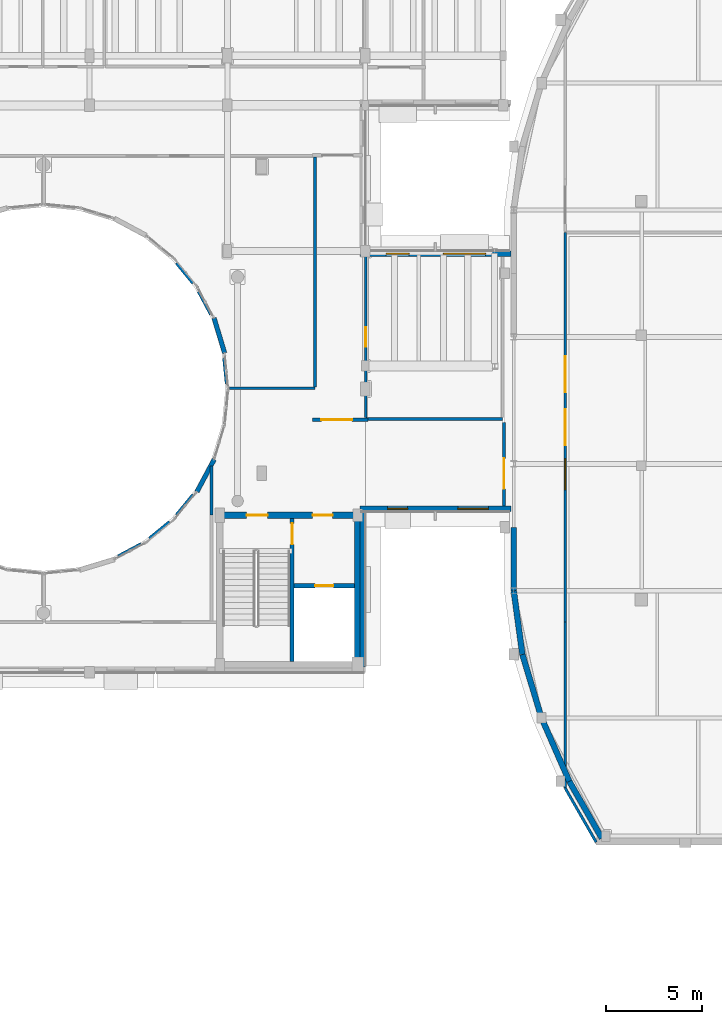
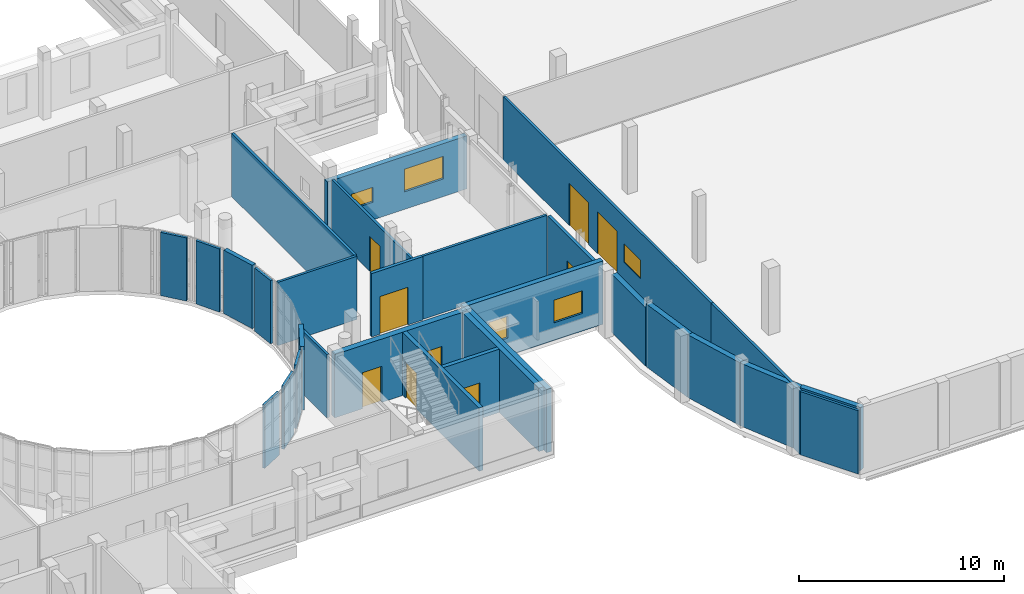
# One storey, part 80 of 105: 30 walls, 9 doors, 5 windows, 14 openings.
"""IFC4 building model written with IfcOpenShell, lengths in metres."""

from ifc_helpers import new_model, si_unit, direction, frame, frame_2d, origin, place, context, subcontext, project, spatial, rectangle, extrude, material, layer, layer_set, type_object, element, fill, save


model = new_model("IFC4")

# Units and contexts
model_context = context("Model", 3, precision=1e-05, world=origin(), true_north=direction((0.0, 1.0)))
body_context = subcontext(model_context, "Body", "Model", "MODEL_VIEW")
ifc_project = project(units=[si_unit("LENGTHUNIT", "METRE"), si_unit("AREAUNIT", "SQUARE_METRE"), si_unit("VOLUMEUNIT", "CUBIC_METRE"), si_unit("PLANEANGLEUNIT", "RADIAN"), si_unit("MASSUNIT", "GRAM", prefix="KILO")], contexts=[model_context])

# Site, building, storey
site_placement = place(None, origin())
site = spatial("IfcSite", under=ifc_project, at=site_placement, CompositionType="ELEMENT")
building_placement = place(site_placement, origin())
building = spatial("IfcBuilding", under=site, at=building_placement, Name="Kelanivale Promenade Academy", CompositionType="ELEMENT")
storey_placement = place(building_placement, frame((0.0, 0.0, 4.199951171875)))
storey = spatial("IfcBuildingStorey", under=building, at=storey_placement, Name="L01", CompositionType="ELEMENT", Elevation=4.199951171875)

# Wall, openings, doors
ifc_material_1 = material(Name="Concrete C40/50", Category="concrete")
ifc_layer_1 = layer(ifc_material_1, 0.330078125)
ifc_layer_set_1 = layer_set([ifc_layer_1], Name="Concrete C40/50")
wall_type_1 = type_object("IfcWallType", Name="CW-S1 Wall 330mm", PredefinedType="SHEAR", material=ifc_layer_set_1)
wall_1_placement = place(storey_placement, frame((107.8349609375, 50.199951171875, 0.0), z_axis=(0.0, 0.0, 1.0), x_axis=(1.0, 0.0, 0.0)))
wall_1 = element("IfcWall", 1, at=wall_1_placement, inside=storey, type_object=wall_type_1, Name="CORE-3 RC shear wall N L01", PredefinedType="SHEAR", context=body_context, shape_type="SweptSolid", body=[
    extrude(rectangle(XDim=7.530029296875, YDim=0.330078125, at=frame_2d((3.76513671875, 0.0))), origin(), (0.0, 0.0, 1.0), 3.780029296875),
])
opening_1_placement = place(wall_1_placement, frame((5.014892578125, 0.0, 0.0)))
opening_1 = element("IfcOpeningElement", 2, at=opening_1_placement, cuts=wall_1, Name="Opening FD-CORE-3-LB-L01", PredefinedType="OPENING", context=body_context, shape_type="SweptSolid", body=[
    extrude(rectangle(XDim=1.050048828125, YDim=2.14990234375, at=frame_2d((0.52490234375, 1.074951171875))), frame((0.0, 0.175048828125, 0.0), z_axis=(0.0, -1.0, 0.0), x_axis=(1.0, 0.0, 0.0)), (0.0, 0.0, 1.0), 0.35009765625),
])
opening_2_placement = place(wall_1_placement, frame((1.56494140625, 0.0, 0.0)))
opening_2 = element("IfcOpeningElement", 3, at=opening_2_placement, cuts=wall_1, Name="Opening FD-CORE-3-ST-L01", PredefinedType="OPENING", context=body_context, shape_type="SweptSolid", body=[
    extrude(rectangle(XDim=1.10009765625, YDim=2.14990234375, at=frame_2d((0.550048828125, 1.074951171875))), frame((0.0, 0.175048828125, 0.0), z_axis=(0.0, -1.0, 0.0), x_axis=(1.0, 0.0, 0.0)), (0.0, 0.0, 1.0), 0.35009765625),
])
ifc_material_2 = material(Name="Fire-rated steel-core teak veneer", Category="steel")
door_type_1 = type_object("IfcDoorType", Name="DT-F01 Door 1100x2150", OperationType="NOTDEFINED", PredefinedType="DOOR", material=ifc_material_2)
door_1_placement = place(opening_2_placement, origin())
door_1 = element("IfcDoor", 4, at=door_1_placement, inside=storey, type_object=door_type_1, Name="CORE-3 protected stair fire door L01", OperationType="SINGLE_SWING_RIGHT", OverallHeight=2.14990234375, OverallWidth=1.10009765625, PredefinedType="DOOR", context=body_context, shape_type="SweptSolid", body=[
    extrude(rectangle(XDim=1.10009765625, YDim=2.14990234375, at=frame_2d((0.550048828125, 1.074951171875))), frame((0.0, 0.02490234375, 0.0), z_axis=(0.0, -1.0, 0.0), x_axis=(1.0, 0.0, 0.0)), (0.0, 0.0, 1.0), 0.050048828125),
])
fill(opening_2, door_1)
door_type_2 = type_object("IfcDoorType", Name="DT-F03 Door 1050x2150", OperationType="NOTDEFINED", PredefinedType="DOOR", material=ifc_material_2)
door_2_placement = place(opening_1_placement, origin())
door_2 = element("IfcDoor", 5, at=door_2_placement, inside=storey, type_object=door_type_2, Name="CORE-3 corridor-to-lobby fire door L01", OperationType="SINGLE_SWING_LEFT", OverallHeight=2.14990234375, OverallWidth=1.050048828125, PredefinedType="DOOR", context=body_context, shape_type="SweptSolid", body=[
    extrude(rectangle(XDim=1.050048828125, YDim=2.14990234375, at=frame_2d((0.52490234375, 1.074951171875))), frame((0.0, 0.02490234375, 0.0), z_axis=(0.0, -1.0, 0.0), x_axis=(1.0, 0.0, 0.0)), (0.0, 0.0, 1.0), 0.050048828125),
])
fill(opening_1, door_2)

# Wall
wall_2_placement = place(storey_placement, frame((115.199951171875, 42.56494140625, 0.0), z_axis=(0.0, 0.0, 1.0), x_axis=(0.0, 1.0, 0.0)))
element("IfcWall", 6, at=wall_2_placement, inside=storey, type_object=wall_type_1, Name="CORE-3 RC shear wall E L01", PredefinedType="SHEAR", context=body_context, shape_type="SweptSolid", body=[
    extrude(rectangle(XDim=7.469970703125, YDim=0.330078125, at=frame_2d((3.73486328125, 0.0))), origin(), (0.0, 0.0, 1.0), 3.780029296875),
])

# Wall, opening, door
ifc_layer_2 = layer(ifc_material_1, 0.22509765625)
ifc_layer_set_2 = layer_set([ifc_layer_2], Name="Concrete C40/50")
wall_type_2 = type_object("IfcWallType", Name="CW-S2 Wall 225mm", PredefinedType="SHEAR", material=ifc_layer_set_2)
wall_3_placement = place(storey_placement, frame((111.885009765625, 46.530029296875, 0.0), z_axis=(0.0, 0.0, 1.0), x_axis=(1.0, 0.0, 0.0)))
wall_3 = element("IfcWall", 7, at=wall_3_placement, inside=storey, type_object=wall_type_2, Name="CORE-3 lift shaft front RC wall L01", PredefinedType="SHEAR", context=body_context, shape_type="SweptSolid", body=[
    extrude(rectangle(XDim=3.14990234375, YDim=0.22509765625, at=frame_2d((1.574951171875, 0.0))), origin(), (0.0, 0.0, 1.0), 3.780029296875),
])
opening_3_placement = place(wall_3_placement, frame((1.10009765625, 0.0, 0.0)))
opening_3 = element("IfcOpeningElement", 8, at=opening_3_placement, cuts=wall_3, Name="Opening LD-LF-FF3-L01", PredefinedType="OPENING", context=body_context, shape_type="SweptSolid", body=[
    extrude(rectangle(XDim=0.949951171875, YDim=2.14990234375, at=frame_2d((0.47509765625, 1.074951171875))), frame((0.0, 0.12255859375, 0.0), z_axis=(0.0, -1.0, 0.0), x_axis=(1.0, 0.0, 0.0)), (0.0, 0.0, 1.0), 0.2451171875),
])
door_type_3 = type_object("IfcDoorType", Name="LD-FF1 Door 950x2150", OperationType="NOTDEFINED", PredefinedType="DOOR", material=ifc_material_2)
door_3_placement = place(opening_3_placement, origin())
door_3 = element("IfcDoor", 9, at=door_3_placement, inside=storey, type_object=door_type_3, Name="Firefighting lift landing door LD-LF-FF3-L01", OperationType="SLIDING_TO_LEFT", OverallHeight=2.14990234375, OverallWidth=0.949951171875, PredefinedType="DOOR", context=body_context, shape_type="SweptSolid", body=[
    extrude(rectangle(XDim=0.949951171875, YDim=2.14990234375, at=frame_2d((0.47509765625, 1.074951171875))), frame((0.0, 0.02490234375, 0.0), z_axis=(0.0, -1.0, 0.0), x_axis=(1.0, 0.0, 0.0)), (0.0, 0.0, 1.0), 0.050048828125),
])
fill(opening_3, door_3)

ifc_layer_3 = layer(ifc_material_1, 0.219970703125)
ifc_layer_set_3 = layer_set([ifc_layer_3], Name="Concrete C40/50")
wall_type_3 = type_object("IfcWallType", Name="CW-S3 Wall 220mm", PredefinedType="SHEAR", material=ifc_layer_set_3)
wall_4_placement = place(storey_placement, frame((111.77490234375, 42.56494140625, 0.0), z_axis=(0.0, 0.0, 1.0), x_axis=(0.0, 1.0, 0.0)))
wall_4 = element("IfcWall", 10, at=wall_4_placement, inside=storey, type_object=wall_type_3, Name="CORE-3 stair-lobby dividing RC wall L01", PredefinedType="SHEAR", context=body_context, shape_type="SweptSolid", body=[
    extrude(rectangle(XDim=7.469970703125, YDim=0.219970703125, at=frame_2d((3.73486328125, 0.0))), origin(), (0.0, 0.0, 1.0), 3.780029296875),
])
opening_4_placement = place(wall_4_placement, frame((6.1201171875, 0.0, 0.0)))
opening_4 = element("IfcOpeningElement", 11, at=opening_4_placement, cuts=wall_4, Name="Opening FD-CORE-3-SL-L01", PredefinedType="OPENING", context=body_context, shape_type="SweptSolid", body=[
    extrude(rectangle(XDim=1.10009765625, YDim=2.14990234375, at=frame_2d((0.550048828125, 1.074951171875))), frame((0.0, 0.1201171875, 0.0), z_axis=(0.0, -1.0, 0.0), x_axis=(1.0, 0.0, 0.0)), (0.0, 0.0, 1.0), 0.239990234375),
])
door_4_placement = place(opening_4_placement, origin())
door_4 = element("IfcDoor", 12, at=door_4_placement, inside=storey, type_object=door_type_1, Name="CORE-3 lobby-to-stair fire door L01", OperationType="SINGLE_SWING_RIGHT", OverallHeight=2.14990234375, OverallWidth=1.10009765625, PredefinedType="DOOR", context=body_context, shape_type="SweptSolid", body=[
    extrude(rectangle(XDim=1.10009765625, YDim=2.14990234375, at=frame_2d((0.550048828125, 1.074951171875))), frame((0.0, 0.02490234375, 0.0), z_axis=(0.0, -1.0, 0.0), x_axis=(1.0, 0.0, 0.0)), (0.0, 0.0, 1.0), 0.050048828125),
])
fill(opening_4, door_4)

# Walls
ifc_material_3 = material(Name="Insulated terracotta-clad masonry wall 300 mm", Category="masonry")
ifc_layer_4 = layer(ifc_material_3, 0.300048828125)
ifc_layer_set_4 = layer_set([ifc_layer_4], Name="Insulated terracotta-clad masonry wall 300 mm")
wall_type_4 = type_object("IfcWallType", Name="EW-01 Wall 300mm", PredefinedType="SOLIDWALL", material=ifc_layer_set_4)
wall_5_placement = place(storey_placement, frame((126.25, 36.31396484375, 0.0), z_axis=(0.0, 0.0, 1.0), x_axis=(0.497345429475, -0.867552605771, 0.0)))
element("IfcWall", 13, at=wall_5_placement, inside=storey, type_object=wall_type_4, Name="Assembly Hall Arc Pavilion inner crescent wall L01", PredefinedType="SOLIDWALL", context=body_context, shape_type="SweptSolid", body=[
    extrude(rectangle(XDim=3.419921875, YDim=0.300048828125, at=frame_2d((1.7099609375, 0.0))), origin(), (0.0, 0.0, 1.0), 3.780029296875),
])
wall_6_placement = place(storey_placement, frame((124.800048828125, 39.62890625, 0.0), z_axis=(0.0, 0.0, 1.0), x_axis=(0.400740958437, -0.916191401526, 0.0)))
element("IfcWall", 14, at=wall_6_placement, inside=storey, type_object=wall_type_4, Name="Assembly Hall Arc Pavilion inner crescent wall L01", PredefinedType="SOLIDWALL", context=body_context, shape_type="SweptSolid", body=[
    extrude(rectangle(XDim=3.6181640625, YDim=0.300048828125, at=frame_2d((1.80908203125, 0.0))), origin(), (0.0, 0.0, 1.0), 3.7451171875),
])
wall_7_placement = place(storey_placement, frame((123.800048828125, 42.943115234375, 0.0), z_axis=(0.0, 0.0, 1.0), x_axis=(0.288868004026, -0.957368934241, 0.0)))
element("IfcWall", 15, at=wall_7_placement, inside=storey, type_object=wall_type_4, Name="Assembly Hall Arc Pavilion inner crescent wall L01", PredefinedType="SOLIDWALL", context=body_context, shape_type="SweptSolid", body=[
    extrude(rectangle(XDim=3.461669921875, YDim=0.300048828125, at=frame_2d((1.73095703125, 0.0))), origin(), (0.0, 0.0, 1.0), 3.7451171875),
])
wall_8_placement = place(storey_placement, frame((123.35009765625, 46.257080078125, 0.0), z_axis=(0.0, 0.0, 1.0), x_axis=(0.134539839792, -0.990908185206, 0.0)))
element("IfcWall", 16, at=wall_8_placement, inside=storey, type_object=wall_type_4, Name="Assembly Hall Arc Pavilion inner crescent wall L01", PredefinedType="SOLIDWALL", context=body_context, shape_type="SweptSolid", body=[
    extrude(rectangle(XDim=3.344482421875, YDim=0.300048828125, at=frame_2d((1.67236328125, 0.0))), origin(), (0.0, 0.0, 1.0), 3.7451171875),
])
wall_9_placement = place(storey_placement, frame((123.35009765625, 49.571044921875, 0.0), z_axis=(0.0, 0.0, 1.0), x_axis=(0.0, -1.0, 0.0)))
element("IfcWall", 17, at=wall_9_placement, inside=storey, type_object=wall_type_4, Name="Assembly Hall Arc Pavilion inner crescent wall L01", PredefinedType="SOLIDWALL", context=body_context, shape_type="SweptSolid", body=[
    extrude(rectangle(XDim=3.31396484375, YDim=0.300048828125, at=frame_2d((1.656982421875, 0.0))), origin(), (0.0, 0.0, 1.0), 3.47998046875),
])
ifc_material_4 = material(Name="Insulated ivory stucco masonry wall 280 mm", Category="masonry")
ifc_layer_5 = layer(ifc_material_4, 0.280029296875)
ifc_layer_set_5 = layer_set([ifc_layer_5], Name="Insulated ivory stucco masonry wall 280 mm")
wall_type_5 = type_object("IfcWallType", Name="EW-02 Wall 280mm", PredefinedType="SOLIDWALL", material=ifc_layer_set_5)
wall_10_placement = place(storey_placement, frame((115.4599609375, 42.280029296875, 0.0), z_axis=(0.0, 0.0, 1.0), x_axis=(0.0, 1.0, 0.0)))
element("IfcWall", 18, at=wall_10_placement, inside=storey, type_object=wall_type_5, Name="L01 exterior facade wall EW-L01-ORT-0364", PredefinedType="SOLIDWALL", context=body_context, shape_type="SweptSolid", body=[
    extrude(rectangle(XDim=8.119873046875, YDim=0.280029296875, at=frame_2d((4.06005859375, 0.0))), origin(), (0.0, 0.0, 1.0), 3.780029296875),
])

# Wall, openings, windows
wall_11_placement = place(storey_placement, frame((115.320068359375, 50.5400390625, 0.0), z_axis=(0.0, 0.0, 1.0), x_axis=(1.0, 0.0, 0.0)))
wall_11 = element("IfcWall", 19, at=wall_11_placement, inside=storey, type_object=wall_type_5, Name="L01 exterior facade wall EW-L01-ORT-0365", PredefinedType="SOLIDWALL", context=body_context, shape_type="SweptSolid", body=[
    extrude(rectangle(XDim=7.8798828125, YDim=0.280029296875, at=frame_2d((3.93994140625, 0.0))), origin(), (0.0, 0.0, 1.0), 3.780029296875),
])
opening_5_placement = place(wall_11_placement, frame((1.445068359375, 0.0, 1.050048828125)))
opening_5 = element("IfcOpeningElement", 20, at=opening_5_placement, cuts=wall_11, Name="Opening WT-30", PredefinedType="OPENING", context=body_context, shape_type="SweptSolid", body=[
    extrude(rectangle(XDim=1.050048828125, YDim=1.300048828125, at=frame_2d((0.52490234375, 0.64990234375))), frame((0.0, 0.14990234375, 0.0), z_axis=(0.0, -1.0, 0.0), x_axis=(1.0, 0.0, 0.0)), (0.0, 0.0, 1.0), 0.300048828125),
])
opening_6_placement = place(wall_11_placement, frame((5.110107421875, 0.0, 1.050048828125)))
opening_6 = element("IfcOpeningElement", 21, at=opening_6_placement, cuts=wall_11, Name="Opening WT-07", PredefinedType="OPENING", context=body_context, shape_type="SweptSolid", body=[
    extrude(rectangle(XDim=1.60009765625, YDim=1.35009765625, at=frame_2d((0.800048828125, 0.675048828125))), frame((0.0, 0.14990234375, 0.0), z_axis=(0.0, -1.0, 0.0), x_axis=(1.0, 0.0, 0.0)), (0.0, 0.0, 1.0), 0.300048828125),
])
ifc_material_5 = material(Name="Bronze anodised aluminium frame with low-E laminated glass", Category="aluminium")
window_type_1 = type_object("IfcWindowType", Name="WT-07 Window 1600x1350", PartitioningType="SINGLE_PANEL", PredefinedType="WINDOW", material=ifc_material_5)
window_1_placement = place(opening_6_placement, origin())
window_1 = element("IfcWindow", 22, at=window_1_placement, inside=storey, type_object=window_type_1, Name="Window WT-07", OverallHeight=1.35009765625, OverallWidth=1.60009765625, PartitioningType="SINGLE_PANEL", PredefinedType="WINDOW", context=body_context, shape_type="SweptSolid", body=[
    extrude(rectangle(XDim=1.60009765625, YDim=1.35009765625, at=frame_2d((0.800048828125, 0.675048828125))), frame((0.0, 0.030029296875, 0.0), z_axis=(0.0, -1.0, 0.0), x_axis=(1.0, 0.0, 0.0)), (0.0, 0.0, 1.0), 0.06005859375),
])
fill(opening_6, window_1)
window_type_2 = type_object("IfcWindowType", Name="WT-30 Window 1050x1300", PartitioningType="SINGLE_PANEL", PredefinedType="WINDOW", material=ifc_material_5)
window_2_placement = place(opening_5_placement, origin())
window_2 = element("IfcWindow", 23, at=window_2_placement, inside=storey, type_object=window_type_2, Name="Window WT-30", OverallHeight=1.300048828125, OverallWidth=1.050048828125, PartitioningType="SINGLE_PANEL", PredefinedType="WINDOW", context=body_context, shape_type="SweptSolid", body=[
    extrude(rectangle(XDim=1.050048828125, YDim=1.300048828125, at=frame_2d((0.52490234375, 0.64990234375))), frame((0.0, 0.030029296875, 0.0), z_axis=(0.0, -1.0, 0.0), x_axis=(1.0, 0.0, 0.0)), (0.0, 0.0, 1.0), 0.06005859375),
])
fill(opening_5, window_2)

wall_12_placement = place(storey_placement, frame((123.199951171875, 63.860107421875, 0.0), z_axis=(0.0, 0.0, 1.0), x_axis=(-1.0, 0.0, 0.0)))
wall_12 = element("IfcWall", 24, at=wall_12_placement, inside=storey, type_object=wall_type_5, Name="L01 exterior facade wall EW-L01-ORT-0366", PredefinedType="SOLIDWALL", context=body_context, shape_type="SweptSolid", body=[
    extrude(rectangle(XDim=7.8798828125, YDim=0.280029296875, at=frame_2d((3.93994140625, 0.0))), origin(), (0.0, 0.0, 1.0), 3.16015625),
])
opening_7_placement = place(wall_12_placement, frame((1.320068359375, 0.0, 1.050048828125)))
opening_7 = element("IfcOpeningElement", 25, at=opening_7_placement, cuts=wall_12, Name="Opening WT-08", PredefinedType="OPENING", context=body_context, shape_type="SweptSolid", body=[
    extrude(rectangle(XDim=2.199951171875, YDim=1.35009765625, at=frame_2d((1.10009765625, 0.675048828125))), frame((0.0, 0.14990234375, 0.0), z_axis=(0.0, -1.0, 0.0), x_axis=(1.0, 0.0, 0.0)), (0.0, 0.0, 1.0), 0.300048828125),
])
opening_8_placement = place(wall_12_placement, frame((5.31005859375, 0.0, 1.050048828125)))
opening_8 = element("IfcOpeningElement", 26, at=opening_8_placement, cuts=wall_12, Name="Opening WT-09", PredefinedType="OPENING", context=body_context, shape_type="SweptSolid", body=[
    extrude(rectangle(XDim=1.199951171875, YDim=0.89990234375, at=frame_2d((0.60009765625, 0.449951171875))), frame((0.0, 0.14990234375, 0.0), z_axis=(0.0, -1.0, 0.0), x_axis=(1.0, 0.0, 0.0)), (0.0, 0.0, 1.0), 0.300048828125),
])
window_type_3 = type_object("IfcWindowType", Name="WT-08 Window 2200x1350", PartitioningType="SINGLE_PANEL", PredefinedType="WINDOW", material=ifc_material_5)
window_3_placement = place(opening_7_placement, origin())
window_3 = element("IfcWindow", 27, at=window_3_placement, inside=storey, type_object=window_type_3, Name="Window WT-08", OverallHeight=1.35009765625, OverallWidth=2.199951171875, PartitioningType="SINGLE_PANEL", PredefinedType="WINDOW", context=body_context, shape_type="SweptSolid", body=[
    extrude(rectangle(XDim=2.199951171875, YDim=1.35009765625, at=frame_2d((1.10009765625, 0.675048828125))), frame((0.0, 0.030029296875, 0.0), z_axis=(0.0, -1.0, 0.0), x_axis=(1.0, 0.0, 0.0)), (0.0, 0.0, 1.0), 0.06005859375),
])
fill(opening_7, window_3)
window_type_4 = type_object("IfcWindowType", Name="WT-09 Window 1200x900", PartitioningType="SINGLE_PANEL", PredefinedType="WINDOW", material=ifc_material_5)
window_4_placement = place(opening_8_placement, origin())
window_4 = element("IfcWindow", 28, at=window_4_placement, inside=storey, type_object=window_type_4, Name="Window WT-09", OverallHeight=0.89990234375, OverallWidth=1.199951171875, PartitioningType="SINGLE_PANEL", PredefinedType="WINDOW", context=body_context, shape_type="SweptSolid", body=[
    extrude(rectangle(XDim=1.199951171875, YDim=0.89990234375, at=frame_2d((0.60009765625, 0.449951171875))), frame((0.0, 0.030029296875, 0.0), z_axis=(0.0, -1.0, 0.0), x_axis=(1.0, 0.0, 0.0)), (0.0, 0.0, 1.0), 0.06005859375),
])
fill(opening_8, window_4)

# Walls
ifc_material_6 = material(Name="Insulated courtyard stucco masonry wall 240 mm", Category="masonry")
ifc_layer_6 = layer(ifc_material_6, 0.239990234375)
ifc_layer_set_6 = layer_set([ifc_layer_6], Name="Insulated courtyard stucco masonry wall 240 mm")
wall_type_6 = type_object("IfcWallType", Name="EW-04 Wall 240mm", PredefinedType="SOLIDWALL", material=ifc_layer_set_6)
wall_13_placement = place(storey_placement, frame((106.81005859375, 51.43408203125, 0.0), z_axis=(0.0, 0.0, 1.0), x_axis=(0.471449153109, 0.881893245259, 0.0)))
element("IfcWall", 29, at=wall_13_placement, inside=storey, type_object=wall_type_6, Name="L01 round courtyard stucco wall", PredefinedType="SOLIDWALL", context=body_context, shape_type="SweptSolid", body=[
    extrude(rectangle(XDim=1.912841796875, YDim=0.239990234375, at=frame_2d((0.95654296875, 0.0))), origin(), (0.0, 0.0, 1.0), 3.780029296875),
])
wall_14_placement = place(storey_placement, frame((108.258056640625, 58.669921875, 0.0), z_axis=(0.0, 0.0, 1.0), x_axis=(-0.289713248393, 0.957113490504, 0.0)))
element("IfcWall", 30, at=wall_14_placement, inside=storey, type_object=wall_type_6, Name="L01 round courtyard stucco wall", PredefinedType="SOLIDWALL", context=body_context, shape_type="SweptSolid", body=[
    extrude(rectangle(XDim=1.912109375, YDim=0.239990234375, at=frame_2d((0.9560546875, 0.0))), origin(), (0.0, 0.0, 1.0), 3.780029296875),
])

# Wall, opening, door
ifc_material_7 = material(Name="Autoclaved masonry blockwork 180 mm", Category="masonry")
ifc_layer_7 = layer(ifc_material_7, 0.179931640625)
ifc_layer_set_7 = layer_set([ifc_layer_7], Name="Autoclaved masonry blockwork 180 mm")
wall_type_7 = type_object("IfcWallType", Name="IW-02 Wall 180mm", PredefinedType="PARTITIONING", material=ifc_layer_set_7)
wall_15_placement = place(storey_placement, frame((122.840087890625, 50.677978515625, 0.0), z_axis=(0.0, 0.0, 1.0), x_axis=(0.0, 1.0, 0.0)))
wall_15 = element("IfcWall", 31, at=wall_15_placement, inside=storey, type_object=wall_type_7, Name="L01 movement-joint corridor fire wall E", PredefinedType="PARTITIONING", context=body_context, shape_type="SweptSolid", body=[
    extrude(rectangle(XDim=4.382080078125, YDim=0.179931640625, at=frame_2d((2.19091796875, 0.0))), origin(), (0.0, 0.0, 1.0), 3.780029296875),
])
opening_9_placement = place(wall_15_placement, frame((0.89990234375, 0.0, 0.0)))
opening_9 = element("IfcOpeningElement", 32, at=opening_9_placement, cuts=wall_15, Name="Opening FD-L01-MJ-E", PredefinedType="OPENING", context=body_context, shape_type="SweptSolid", body=[
    extrude(rectangle(XDim=1.60009765625, YDim=2.25, at=frame_2d((0.800048828125, 1.125))), frame((0.0, 0.10009765625, 0.0), z_axis=(0.0, -1.0, 0.0), x_axis=(1.0, 0.0, 0.0)), (0.0, 0.0, 1.0), 0.199951171875),
])
door_type_4 = type_object("IfcDoorType", Name="DT-F09 Door 1600x2250", OperationType="NOTDEFINED", PredefinedType="DOOR", material=ifc_material_2)
door_5_placement = place(opening_9_placement, origin())
door_5 = element("IfcDoor", 33, at=door_5_placement, inside=storey, type_object=door_type_4, Name="L01 movement-joint corridor double fire door E", OperationType="DOUBLE_DOOR_SINGLE_SWING", OverallHeight=2.25, OverallWidth=1.60009765625, PredefinedType="DOOR", context=body_context, shape_type="SweptSolid", body=[
    extrude(rectangle(XDim=1.60009765625, YDim=2.25, at=frame_2d((0.800048828125, 1.125))), frame((0.0, 0.02490234375, 0.0), z_axis=(0.0, -1.0, 0.0), x_axis=(1.0, 0.0, 0.0)), (0.0, 0.0, 1.0), 0.050048828125),
])
fill(opening_9, door_5)

wall_16_placement = place(storey_placement, frame((112.85302734375, 55.199951171875, 0.0), z_axis=(0.0, 0.0, 1.0), x_axis=(1.0, 0.0, 0.0)))
wall_16 = element("IfcWall", 34, at=wall_16_placement, inside=storey, type_object=wall_type_7, Name="L01 cross-corridor fire wall", PredefinedType="PARTITIONING", context=body_context, shape_type="SweptSolid", body=[
    extrude(rectangle(XDim=2.89697265625, YDim=0.179931640625, at=frame_2d((1.448486328125, 0.0))), origin(), (0.0, 0.0, 1.0), 3.780029296875),
])
opening_10_placement = place(wall_16_placement, frame((0.4541015625, 0.0, 0.0)))
opening_10 = element("IfcOpeningElement", 35, at=opening_10_placement, cuts=wall_16, Name="Opening FD-L01-CC-058", PredefinedType="OPENING", context=body_context, shape_type="SweptSolid", body=[
    extrude(rectangle(XDim=1.60009765625, YDim=2.25, at=frame_2d((0.800048828125, 1.125))), frame((0.0, 0.10009765625, 0.0), z_axis=(0.0, -1.0, 0.0), x_axis=(1.0, 0.0, 0.0)), (0.0, 0.0, 1.0), 0.199951171875),
])
door_6_placement = place(opening_10_placement, origin())
door_6 = element("IfcDoor", 36, at=door_6_placement, inside=storey, type_object=door_type_4, Name="L01 cross-corridor fire door FD-L01-CC-058", OperationType="DOUBLE_DOOR_SINGLE_SWING", OverallHeight=2.25, OverallWidth=1.60009765625, PredefinedType="DOOR", context=body_context, shape_type="SweptSolid", body=[
    extrude(rectangle(XDim=1.60009765625, YDim=2.25, at=frame_2d((0.800048828125, 1.125))), frame((0.0, 0.02490234375, 0.0), z_axis=(0.0, -1.0, 0.0), x_axis=(1.0, 0.0, 0.0)), (0.0, 0.0, 1.0), 0.050048828125),
])
fill(opening_10, door_6)

# Wall, openings, doors, window
ifc_material_8 = material(Name="Acoustic double-stud gypsum board partition 140 mm", Category="masonry")
ifc_layer_8 = layer(ifc_material_8, 0.139892578125)
ifc_layer_set_8 = layer_set([ifc_layer_8], Name="Acoustic double-stud gypsum board partition 140 mm")
wall_type_8 = type_object("IfcWallType", Name="IW-04 Wall 140mm", PredefinedType="PARTITIONING", material=ifc_layer_set_8)
wall_17_placement = place(storey_placement, frame((126.030029296875, 64.969970703125, 0.0), z_axis=(0.0, 0.0, 1.0), x_axis=(0.0, -1.0, 0.0)))
wall_17 = element("IfcWall", 37, at=wall_17_placement, inside=storey, type_object=wall_type_8, Name="L01 partition Main Assembly Hall", PredefinedType="PARTITIONING", context=body_context, shape_type="SweptSolid", body=[
    extrude(rectangle(XDim=20.340087890625, YDim=0.139892578125, at=frame_2d((10.169921875, 0.0))), origin(), (0.0, 0.0, 1.0), 3.780029296875),
])
opening_11_placement = place(wall_17_placement, frame((9.219970703125, 0.0, 0.0)))
opening_11 = element("IfcOpeningElement", 38, at=opening_11_placement, cuts=wall_17, Name="Opening ID-L01-070", PredefinedType="OPENING", context=body_context, shape_type="SweptSolid", body=[
    extrude(rectangle(XDim=1.89990234375, YDim=2.5, at=frame_2d((0.949951171875, 1.25))), frame((0.0, 0.080078125, 0.0), z_axis=(0.0, -1.0, 0.0), x_axis=(1.0, 0.0, 0.0)), (0.0, 0.0, 1.0), 0.159912109375),
])
opening_12_placement = place(wall_17_placement, frame((6.4541015625, 0.0, 0.0)))
opening_12 = element("IfcOpeningElement", 39, at=opening_12_placement, cuts=wall_17, Name="Opening ID-L01-071", PredefinedType="OPENING", context=body_context, shape_type="SweptSolid", body=[
    extrude(rectangle(XDim=1.89990234375, YDim=2.5, at=frame_2d((0.949951171875, 1.25))), frame((0.0, 0.080078125, 0.0), z_axis=(0.0, -1.0, 0.0), x_axis=(1.0, 0.0, 0.0)), (0.0, 0.0, 1.0), 0.159912109375),
])
opening_13_placement = place(wall_17_placement, frame((11.820068359375, 0.0, 1.050048828125)))
opening_13 = element("IfcOpeningElement", 40, at=opening_13_placement, cuts=wall_17, Name="Opening WT-I01", PredefinedType="OPENING", context=body_context, shape_type="SweptSolid", body=[
    extrude(rectangle(XDim=1.60009765625, YDim=1.10009765625, at=frame_2d((0.800048828125, 0.550048828125))), frame((0.0, 0.080078125, 0.0), z_axis=(0.0, -1.0, 0.0), x_axis=(1.0, 0.0, 0.0)), (0.0, 0.0, 1.0), 0.159912109375),
])
ifc_material_9 = material(Name="Solid-core tropical teak timber", Category="wood")
door_type_5 = type_object("IfcDoorType", Name="DT-I10 Door 1900x2500", OperationType="NOTDEFINED", PredefinedType="DOOR", material=ifc_material_9)
door_7_placement = place(opening_11_placement, frame((1.89990234375, 0.0, 0.0), z_axis=(0.0, 0.0, 1.0), x_axis=(-1.0, 0.0, 0.0)))
door_7 = element("IfcDoor", 41, at=door_7_placement, inside=storey, type_object=door_type_5, Name="Main Assembly Hall door ID-L01-070", OperationType="DOUBLE_DOOR_SINGLE_SWING", OverallHeight=2.5, OverallWidth=1.89990234375, PredefinedType="DOOR", context=body_context, shape_type="SweptSolid", body=[
    extrude(rectangle(XDim=1.89990234375, YDim=2.5, at=frame_2d((0.949951171875, 1.25))), frame((0.0, 0.02490234375, 0.0), z_axis=(0.0, -1.0, 0.0), x_axis=(1.0, 0.0, 0.0)), (0.0, 0.0, 1.0), 0.050048828125),
])
fill(opening_11, door_7)
door_8_placement = place(opening_12_placement, frame((1.89990234375, 0.0, 0.0), z_axis=(0.0, 0.0, 1.0), x_axis=(-1.0, 0.0, 0.0)))
door_8 = element("IfcDoor", 42, at=door_8_placement, inside=storey, type_object=door_type_5, Name="Main Assembly Hall secondary door ID-L01-071", OperationType="DOUBLE_DOOR_SINGLE_SWING", OverallHeight=2.5, OverallWidth=1.89990234375, PredefinedType="DOOR", context=body_context, shape_type="SweptSolid", body=[
    extrude(rectangle(XDim=1.89990234375, YDim=2.5, at=frame_2d((0.949951171875, 1.25))), frame((0.0, 0.02490234375, 0.0), z_axis=(0.0, -1.0, 0.0), x_axis=(1.0, 0.0, 0.0)), (0.0, 0.0, 1.0), 0.050048828125),
])
fill(opening_12, door_8)
window_type_5 = type_object("IfcWindowType", Name="WT-I01 Window 1600x1100", PartitioningType="SINGLE_PANEL", PredefinedType="WINDOW", material=ifc_material_5)
window_5_placement = place(opening_13_placement, origin())
window_5 = element("IfcWindow", 43, at=window_5_placement, inside=storey, type_object=window_type_5, Name="Interior observation window WT-I01", OverallHeight=1.10009765625, OverallWidth=1.60009765625, PartitioningType="SINGLE_PANEL", PredefinedType="WINDOW", context=body_context, shape_type="SweptSolid", body=[
    extrude(rectangle(XDim=1.60009765625, YDim=1.10009765625, at=frame_2d((0.800048828125, 0.550048828125))), frame((0.0, 0.030029296875, 0.0), z_axis=(0.0, -1.0, 0.0), x_axis=(1.0, 0.0, 0.0)), (0.0, 0.0, 1.0), 0.06005859375),
])
fill(opening_13, window_5)

# Walls
wall_18_placement = place(storey_placement, frame((126.030029296875, 44.6298828125, 0.0), z_axis=(0.0, 0.0, 1.0), x_axis=(0.0, -1.0, 0.0)))
element("IfcWall", 44, at=wall_18_placement, inside=storey, type_object=wall_type_8, Name="L01 partition Main Assembly Hall", PredefinedType="PARTITIONING", context=body_context, shape_type="SweptSolid", body=[
    extrude(rectangle(XDim=8.663818359375, YDim=0.139892578125, at=frame_2d((4.33203125, 0.0))), origin(), (0.0, 0.0, 1.0), 3.780029296875),
])
wall_19_placement = place(storey_placement, frame((126.030029296875, 35.966064453125, 0.0), z_axis=(0.0, 0.0, 1.0), x_axis=(0.497502167118, -0.867462733328, 0.0)))
element("IfcWall", 45, at=wall_19_placement, inside=storey, type_object=wall_type_8, Name="L01 partition Main Assembly Hall", PredefinedType="PARTITIONING", context=body_context, shape_type="SweptSolid", body=[
    extrude(rectangle(XDim=3.258056640625, YDim=0.139892578125, at=frame_2d((1.62890625, 0.0))), origin(), (0.0, 0.0, 1.0), 3.780029296875),
])
wall_20_placement = place(storey_placement, frame((115.6298828125, 55.22998046875, 0.0), z_axis=(0.0, 0.0, 1.0), x_axis=(1.0, 0.0, 0.0)))
element("IfcWall", 46, at=wall_20_placement, inside=storey, type_object=wall_type_8, Name="L01 partition Backstage Green Studio", PredefinedType="PARTITIONING", context=body_context, shape_type="SweptSolid", body=[
    extrude(rectangle(XDim=7.14013671875, YDim=0.139892578125, at=frame_2d((3.570068359375, 0.0))), origin(), (0.0, 0.0, 1.0), 3.760009765625),
])

# Wall, opening, door
wall_21_placement = place(storey_placement, frame((115.6298828125, 63.721923828125, 0.0), z_axis=(0.0, 0.0, 1.0), x_axis=(0.0, -1.0, 0.0)))
wall_21 = element("IfcWall", 47, at=wall_21_placement, inside=storey, type_object=wall_type_8, Name="L01 partition Backstage Green Studio", PredefinedType="PARTITIONING", context=body_context, shape_type="SweptSolid", body=[
    extrude(rectangle(XDim=8.423828125, YDim=0.139892578125, at=frame_2d((4.2119140625, 0.0))), origin(), (0.0, 0.0, 1.0), 3.22509765625),
])
opening_14_placement = place(wall_21_placement, frame((3.7119140625, 0.0, 0.0)))
opening_14 = element("IfcOpeningElement", 48, at=opening_14_placement, cuts=wall_21, Name="Opening ID-L01-073", PredefinedType="OPENING", context=body_context, shape_type="SweptSolid", body=[
    extrude(rectangle(XDim=1.0, YDim=2.10009765625, at=frame_2d((0.5, 1.050048828125))), frame((0.0, 0.080078125, 0.0), z_axis=(0.0, -1.0, 0.0), x_axis=(1.0, 0.0, 0.0)), (0.0, 0.0, 1.0), 0.159912109375),
])
door_type_6 = type_object("IfcDoorType", Name="DT-I01 Door 1000x2100", OperationType="NOTDEFINED", PredefinedType="DOOR", material=ifc_material_9)
door_9_placement = place(opening_14_placement, origin())
door_9 = element("IfcDoor", 49, at=door_9_placement, inside=storey, type_object=door_type_6, Name="Backstage Green Studio door ID-L01-073", OperationType="SINGLE_SWING_LEFT", OverallHeight=2.10009765625, OverallWidth=1.0, PredefinedType="DOOR", context=body_context, shape_type="SweptSolid", body=[
    extrude(rectangle(XDim=1.0, YDim=2.10009765625, at=frame_2d((0.5, 1.050048828125))), frame((0.0, 0.02490234375, 0.0), z_axis=(0.0, -1.0, 0.0), x_axis=(1.0, 0.0, 0.0)), (0.0, 0.0, 1.0), 0.050048828125),
])
fill(opening_14, door_9)

# Walls
for number, where, z_axis, x_axis, name in (
    (50, (105.366943359375, 49.867919921875, 0.0), (0.0, 0.0, 1.0), (-0.772978341916, -0.634432410055, 0.0), "L01 partition Junior Classroom East A"),
    (51, (103.887939453125, 48.719970703125, 0.0), (0.0, 0.0, 1.0), (-0.882198489785, -0.470877717269, 0.0), "L01 partition Junior Classroom East A"),
):
    element("IfcWall", number, at=place(storey_placement, frame(where, z_axis=z_axis, x_axis=x_axis)), inside=storey, type_object=wall_type_8, Name=name, PredefinedType="PARTITIONING", context=body_context, shape_type="SweptSolid", body=[
        extrude(rectangle(XDim=1.35693359375, YDim=0.139892578125, at=frame_2d((0.678466796875, 0.0))), origin(), (0.0, 0.0, 1.0), 3.775146484375),
    ])
wall_22_placement = place(storey_placement, frame((107.570068359375, 50.22998046875, 0.0), z_axis=(0.0, 0.0, 1.0), x_axis=(0.0, 1.0, 0.0)))
element("IfcWall", 52, at=wall_22_placement, inside=storey, type_object=wall_type_8, Name="L01 partition Junior Classroom East A", PredefinedType="PARTITIONING", context=body_context, shape_type="SweptSolid", body=[
    extrude(rectangle(XDim=2.5400390625, YDim=0.139892578125, at=frame_2d((1.27001953125, 0.0))), origin(), (0.0, 0.0, 1.0), 3.775146484375),
])
wall_23_placement = place(storey_placement, frame((106.593017578125, 51.281982421875, 0.0), z_axis=(0.0, 0.0, 1.0), x_axis=(-0.634451674201, -0.772962530207, 0.0)))
element("IfcWall", 53, at=wall_23_placement, inside=storey, type_object=wall_type_8, Name="L01 partition Junior Classroom East A", PredefinedType="PARTITIONING", context=body_context, shape_type="SweptSolid", body=[
    extrude(rectangle(XDim=1.357177734375, YDim=0.139892578125, at=frame_2d((0.6787109375, 0.0))), origin(), (0.0, 0.0, 1.0), 3.775146484375),
])
for number, where, z_axis, x_axis, name in (
    (54, (105.73193359375, 63.366943359375, 0.0), (0.0, 0.0, 1.0), (0.634539898886, -0.772890106497, 0.0), "L01 partition Language Studio East B"),
    (55, (106.8798828125, 61.887939453125, 0.0), (0.0, 0.0, 1.0), (0.471017734614, -0.882123740571, 0.0), "L01 partition Language Studio East B"),
):
    element("IfcWall", number, at=place(storey_placement, frame(where, z_axis=z_axis, x_axis=x_axis)), inside=storey, type_object=wall_type_8, Name=name, PredefinedType="PARTITIONING", context=body_context, shape_type="SweptSolid", body=[
        extrude(rectangle(XDim=1.35693359375, YDim=0.139892578125, at=frame_2d((0.678466796875, 0.0))), origin(), (0.0, 0.0, 1.0), 3.775146484375),
    ])
wall_24_placement = place(storey_placement, frame((108.2109375, 58.407958984375, 0.0), z_axis=(0.0, 0.0, 1.0), x_axis=(0.098744685517, -0.995112801185, 0.0)))
element("IfcWall", 56, at=wall_24_placement, inside=storey, type_object=wall_type_8, Name="L01 partition Language Studio East B", PredefinedType="PARTITIONING", context=body_context, shape_type="SweptSolid", body=[
    extrude(rectangle(XDim=1.337646484375, YDim=0.139892578125, at=frame_2d((0.6689453125, 0.0))), origin(), (0.0, 0.0, 1.0), 3.775146484375),
])
wall_25_placement = place(storey_placement, frame((108.51611328125, 56.830078125, 0.0), z_axis=(0.0, 0.0, 1.0), x_axis=(1.0, 0.0, 0.0)))
element("IfcWall", 57, at=wall_25_placement, inside=storey, type_object=wall_type_8, Name="L01 partition Language Studio East B", PredefinedType="PARTITIONING", context=body_context, shape_type="SweptSolid", body=[
    extrude(rectangle(XDim=4.453857421875, YDim=0.139892578125, at=frame_2d((2.22705078125, 0.0))), origin(), (0.0, 0.0, 1.0), 3.775146484375),
])
wall_26_placement = place(storey_placement, frame((112.969970703125, 56.89794921875, 0.0), z_axis=(0.0, 0.0, 1.0), x_axis=(0.0, 1.0, 0.0)))
element("IfcWall", 58, at=wall_26_placement, inside=storey, type_object=wall_type_8, Name="L01 partition Language Studio East B", PredefinedType="PARTITIONING", context=body_context, shape_type="SweptSolid", body=[
    extrude(rectangle(XDim=12.004150390625, YDim=0.139892578125, at=frame_2d((6.001953125, 0.0))), origin(), (0.0, 0.0, 1.0), 3.775146484375),
])

save(model, "model.ifc")
